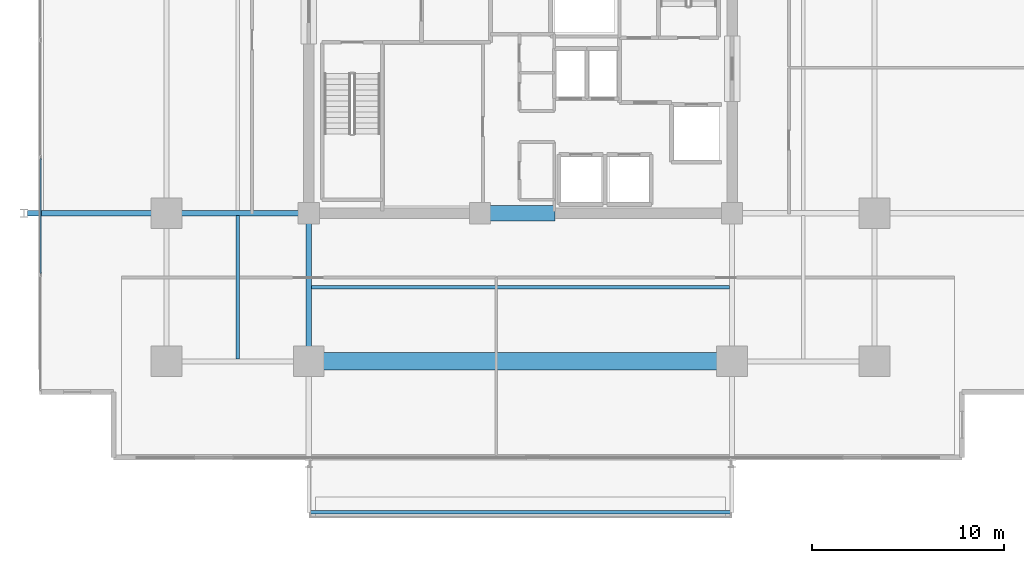
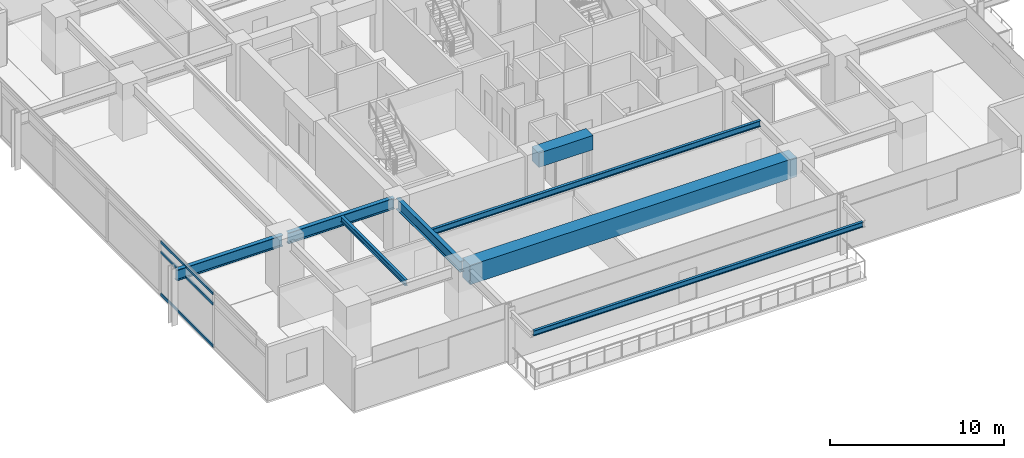
# One storey, part 3 of 21: 8 beams, 3 members, 1 element without a shape of its own.
"""IFC4 building model written with IfcOpenShell, lengths in metres."""

from ifc_helpers import new_model, si_unit, direction, frame, origin, origin_2d, place, context, subcontext, project, spatial, rectangle, hollow_rectangle, i_section, extrude, material, material_profile, profile_set, type_object, element, aggregate, save


model = new_model("IFC4")

# Units and contexts
model_context = context("Model", 3, precision=1e-05, world=origin(), true_north=direction((0.0, 1.0)))
body_context = subcontext(model_context, "Body", "Model", "MODEL_VIEW")
ifc_project = project(units=[si_unit("LENGTHUNIT", "METRE"), si_unit("AREAUNIT", "SQUARE_METRE"), si_unit("VOLUMEUNIT", "CUBIC_METRE"), si_unit("PLANEANGLEUNIT", "RADIAN"), si_unit("MASSUNIT", "GRAM", prefix="KILO")], contexts=[model_context])

# Site, building, storey
site_placement = place(None, origin())
site = spatial("IfcSite", under=ifc_project, at=site_placement, CompositionType="ELEMENT")
building_placement = place(site_placement, origin())
building = spatial("IfcBuilding", under=site, at=building_placement, Name="Kovane Verandah Tower", CompositionType="ELEMENT")
storey_placement = place(building_placement, frame((0.0, 0.0, 176.39990234375)))
storey = spatial("IfcBuildingStorey", under=building, at=storey_placement, Name="L41", CompositionType="ELEMENT", Elevation=176.39990234375)

# Beams
ifc_material_1 = material(Name="Concrete C60/75", Category="concrete")
ifc_material_profile_1 = material_profile(ifc_material_1, rectangle(XDim=0.800048828125, YDim=1.0, at=origin_2d()), Name="RCB800x1000")
ifc_profile_set_1 = profile_set([ifc_material_profile_1], Name="Concrete C60/75")
beam_type_1 = type_object("IfcBeamType", Name="BM-LINTEL-800x1000", PredefinedType="LINTEL", material=ifc_profile_set_1)
beam_1_placement = place(storey_placement, frame((38.199951171875, 18.5, 3.275146484375), z_axis=(1.0, 0.0, 0.0), x_axis=(0.0, 1.0, 0.0)))
element("IfcBeam", 1, at=beam_1_placement, inside=storey, type_object=beam_type_1, Name="L41 Core Coupling Lintel CL-S", PredefinedType="LINTEL", context=body_context, shape_type="SweptSolid", body=[
    extrude(rectangle(XDim=0.800048828125, YDim=1.0, at=origin_2d()), origin(), (0.0, 0.0, 1.0), 3.60009765625),
])
ifc_material_2 = material(Name="Concrete C80/95", Category="concrete")
ifc_material_profile_2 = material_profile(ifc_material_2, rectangle(XDim=0.89990234375, YDim=1.35009765625, at=origin_2d()), Name="RCB900x1350")
ifc_profile_set_2 = profile_set([ifc_material_profile_2], Name="Concrete C80/95")
beam_type_2 = type_object("IfcBeamType", Name="BM-TR-900x1350", PredefinedType="BEAM", material=ifc_profile_set_2)
beam_2_placement = place(storey_placement, frame((29.179931640625, 10.800048828125, 3.10009765625), z_axis=(1.0, 0.0, 0.0), x_axis=(0.0, 1.0, 0.0)))
element("IfcBeam", 2, at=beam_2_placement, inside=storey, type_object=beam_type_2, Name="L41 Primary Tower Girder G-RS2", PredefinedType="BEAM", context=body_context, shape_type="SweptSolid", body=[
    extrude(rectangle(XDim=0.89990234375, YDim=1.35009765625, at=origin_2d()), origin(), (0.0, 0.0, 1.0), 21.64013671875),
])
ifc_material_3 = material(Name="Steel S355", Category="steel")
ifc_material_profile_3 = material_profile(ifc_material_3, i_section(OverallWidth=0.26806640625, OverallDepth=0.769775390625, WebThickness=0.015625, FlangeThickness=0.025390625, FilletRadius=0.0166015625, at=origin_2d()), Name="UB762x267x197")
ifc_profile_set_3 = profile_set([ifc_material_profile_3], Name="Steel S355")
beam_type_3 = type_object("IfcBeamType", Name="BM-UB762x197", PredefinedType="BEAM", material=ifc_profile_set_3)
beam_3_placement = place(storey_placement, frame((28.820068359375, 18.5, 3.39013671875), z_axis=(-1.0, 0.0, 0.0), x_axis=(0.0, -1.0, 0.0)))
element("IfcBeam", 3, at=beam_3_placement, inside=storey, type_object=beam_type_3, Name="L41 Primary Tower Girder G-W1", PredefinedType="BEAM", context=body_context, shape_type="SweptSolid", body=[
    extrude(i_section(OverallWidth=0.26806640625, OverallDepth=0.769775390625, WebThickness=0.015625, FlangeThickness=0.025390625, FilletRadius=0.0166015625, at=origin_2d()), origin(), (0.0, 0.0, 1.0), 7.0400390625),
])
beam_4_placement = place(storey_placement, frame((29.0, 18.320068359375, 3.39013671875), z_axis=(0.0, -1.0, 0.0), x_axis=(1.0, 0.0, 0.0)))
element("IfcBeam", 4, at=beam_4_placement, inside=storey, type_object=beam_type_3, Name="L41 Primary Tower Girder G-S1", PredefinedType="BEAM", context=body_context, shape_type="SweptSolid", body=[
    extrude(i_section(OverallWidth=0.26806640625, OverallDepth=0.769775390625, WebThickness=0.015625, FlangeThickness=0.025390625, FilletRadius=0.0166015625, at=origin_2d()), origin(), (0.0, 0.0, 1.0), 7.340087890625),
])
beam_5_placement = place(storey_placement, frame((21.419921875, 18.5, 3.375244140625), z_axis=(-1.0, 0.0, 0.0), x_axis=(0.0, -1.0, 0.0)))
element("IfcBeam", 5, at=beam_5_placement, inside=storey, type_object=beam_type_3, Name="L41 Primary Tower Girder G-VW1", PredefinedType="BEAM", context=body_context, shape_type="SweptSolid", body=[
    extrude(i_section(OverallWidth=0.26806640625, OverallDepth=0.769775390625, WebThickness=0.015625, FlangeThickness=0.025390625, FilletRadius=0.0166015625, at=origin_2d()), origin(), (0.0, 0.0, 1.0), 7.0400390625),
])

# Curtain wall, members
ifc_material_4 = material(Name="Champagne Anodised Aluminium Frame with Low-E Clear Laminated Glass", Category="aluminium")
curtain_wall_type = type_object("IfcCurtainWallType", Name="CW-SYS-03-MID", PredefinedType="NOTDEFINED", material=ifc_material_4)
curtain_wall_placement = place(storey_placement, origin())
curtain_wall = element("IfcCurtainWall", 6, at=curtain_wall_placement, inside=storey, type_object=curtain_wall_type, Name="L41 W Unitised Curtain Wall", PredefinedType="NOTDEFINED")
ifc_material_5 = material(Name="Champagne Anodised Aluminium 6063-T6", Category="aluminium")
ifc_material_profile_4 = material_profile(ifc_material_5, hollow_rectangle(XDim=0.0849609375, YDim=0.18994140625, WallThickness=0.00390625, at=origin_2d()), Name="AL85x190x4")
ifc_profile_set_4 = profile_set([ifc_material_profile_4], Name="Champagne Anodised Aluminium 6063-T6")
member_type = type_object("IfcMemberType", Name="CW-TRN-85x190", PredefinedType="USERDEFINED", material=ifc_profile_set_4)
member_1_placement = place(storey_placement, frame((15.064208984375, 21.351806640625, 0.050048828125), z_axis=(0.0, -1.0, 0.0), x_axis=(1.0, 0.0, 0.0)))
member_1 = element("IfcMember", 7, at=member_1_placement, type_object=member_type, Name="L41 W Unitised Curtain Wall Transom TB Bay 5", ObjectType="TRANSOM", PredefinedType="USERDEFINED", context=body_context, shape_type="SweptSolid", body=[
    extrude(hollow_rectangle(XDim=0.0849609375, YDim=0.18994140625, WallThickness=0.00390625, at=origin_2d()), origin(), (0.0, 0.0, 1.0), 5.99853515625),
])
member_2_placement = place(storey_placement, frame((15.064208984375, 21.351806640625, 2.9951171875), z_axis=(0.0, -1.0, 0.0), x_axis=(1.0, 0.0, 0.0)))
member_2 = element("IfcMember", 8, at=member_2_placement, type_object=member_type, Name="L41 W Unitised Curtain Wall Transom TM Bay 5", ObjectType="TRANSOM", PredefinedType="USERDEFINED", context=body_context, shape_type="SweptSolid", body=[
    extrude(hollow_rectangle(XDim=0.0849609375, YDim=0.18994140625, WallThickness=0.00390625, at=origin_2d()), origin(), (0.0, 0.0, 1.0), 5.99853515625),
])
member_3_placement = place(storey_placement, frame((15.064208984375, 21.351806640625, 3.72509765625), z_axis=(0.0, -1.0, 0.0), x_axis=(1.0, 0.0, 0.0)))
member_3 = element("IfcMember", 9, at=member_3_placement, type_object=member_type, Name="L41 W Unitised Curtain Wall Transom TT Bay 5", ObjectType="TRANSOM", PredefinedType="USERDEFINED", context=body_context, shape_type="SweptSolid", body=[
    extrude(hollow_rectangle(XDim=0.0849609375, YDim=0.18994140625, WallThickness=0.00390625, at=origin_2d()), origin(), (0.0, 0.0, 1.0), 5.99853515625),
])
aggregate(curtain_wall, [member_1, member_2, member_3])

# Beams
ifc_material_profile_5 = material_profile(ifc_material_3, i_section(OverallWidth=0.179443359375, OverallDepth=0.412841796875, WebThickness=0.009521484375, FlangeThickness=0.01611328125, FilletRadius=0.01025390625, at=origin_2d()), Name="UB406x178x74")
ifc_profile_set_5 = profile_set([ifc_material_profile_5], Name="Steel S355")
beam_type_4 = type_object("IfcBeamType", Name="JST-UB406x74", PredefinedType="JOIST", material=ifc_profile_set_5)
beam_6_placement = place(storey_placement, frame((29.132080078125, 14.64990234375, 3.568603515625), z_axis=(1.0, 0.0, 0.0), x_axis=(0.0, 1.0, 0.0)))
element("IfcBeam", 10, at=beam_6_placement, inside=storey, type_object=beam_type_4, Name="L41 Secondary Composite Joist J-S1", PredefinedType="JOIST", context=body_context, shape_type="SweptSolid", body=[
    extrude(i_section(OverallWidth=0.179443359375, OverallDepth=0.412841796875, WebThickness=0.009521484375, FlangeThickness=0.01611328125, FilletRadius=0.01025390625, at=origin_2d()), origin(), (0.0, 0.0, 1.0), 21.73583984375),
])
beam_7_placement = place(storey_placement, frame((25.300048828125, 10.931884765625, 3.568603515625), z_axis=(0.0, 1.0, 0.0), x_axis=(-1.0, 0.0, 0.0)))
element("IfcBeam", 11, at=beam_7_placement, inside=storey, type_object=beam_type_4, Name="L41 Secondary Composite Joist J-SW1", PredefinedType="JOIST", context=body_context, shape_type="SweptSolid", body=[
    extrude(i_section(OverallWidth=0.179443359375, OverallDepth=0.412841796875, WebThickness=0.009521484375, FlangeThickness=0.01611328125, FilletRadius=0.01025390625, at=origin_2d()), origin(), (0.0, 0.0, 1.0), 7.43603515625),
])
ifc_material_profile_6 = material_profile(ifc_material_3, i_section(OverallWidth=0.173095703125, OverallDepth=0.36328125, WebThickness=0.009033203125, FlangeThickness=0.015625, FilletRadius=0.01025390625, at=origin_2d()), Name="UB356x171x67")
ifc_profile_set_6 = profile_set([ifc_material_profile_6], Name="Steel S355")
beam_type_5 = type_object("IfcBeamType", Name="SPD-UB356x67", PredefinedType="USERDEFINED", material=ifc_profile_set_6)
beam_8_placement = place(storey_placement, frame((29.094482421875, 2.949951171875, 3.578369140625), z_axis=(1.0, 0.0, 0.0), x_axis=(0.0, 1.0, 0.0)))
element("IfcBeam", 12, at=beam_8_placement, inside=storey, type_object=beam_type_5, Name="L41 South Planter Edge Spandrel", ObjectType="SPANDREL", PredefinedType="USERDEFINED", context=body_context, shape_type="SweptSolid", body=[
    extrude(i_section(OverallWidth=0.173095703125, OverallDepth=0.36328125, WebThickness=0.009033203125, FlangeThickness=0.015625, FilletRadius=0.01025390625, at=origin_2d()), origin(), (0.0, 0.0, 1.0), 21.81103515625),
])

save(model, "model.ifc")
